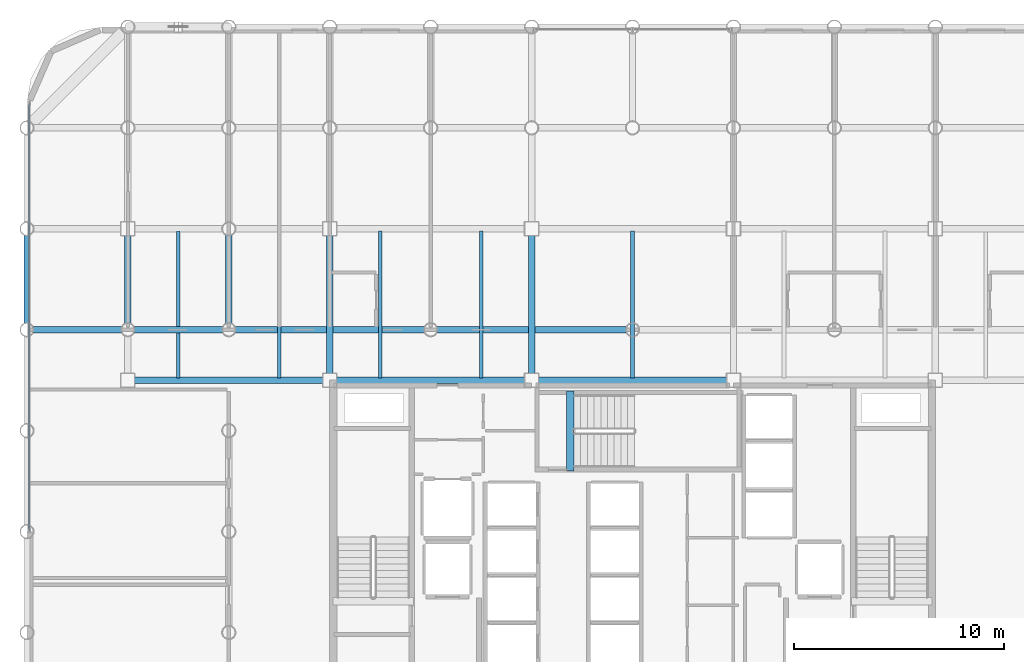
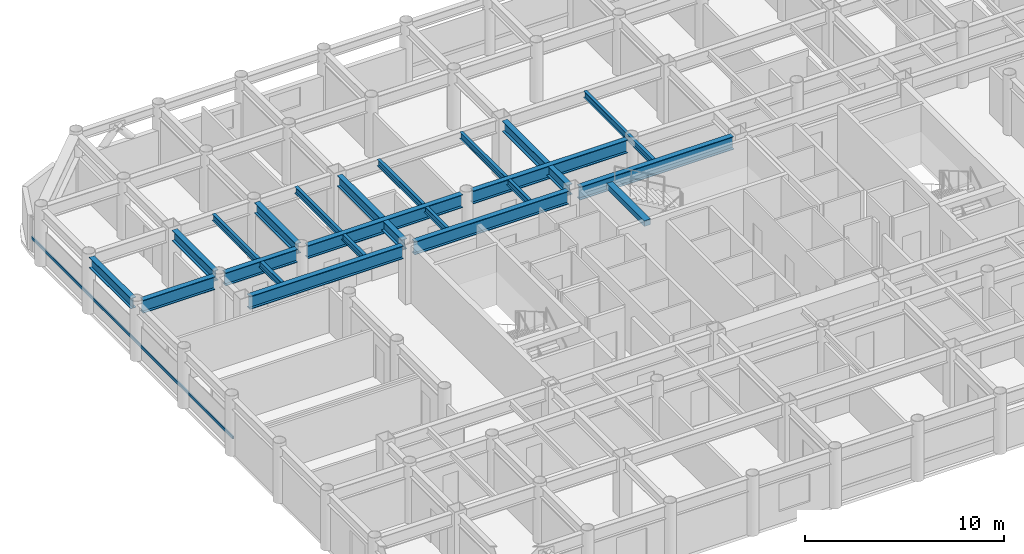
# One storey, part 5 of 22: 18 beams, 1 member, 1 element without a shape of its own.
"""IFC4 building model written with IfcOpenShell, lengths in metres."""

from ifc_helpers import new_model, si_unit, direction, frame, origin, origin_2d, place, context, subcontext, project, spatial, rectangle, hollow_rectangle, i_section, extrude, material, layer, layer_set, material_profile, profile_set, type_object, element, aggregate, save


model = new_model("IFC4")

# Units and contexts
model_context = context("Model", 3, precision=1e-05, world=origin(), true_north=direction((0.0, 1.0)))
body_context = subcontext(model_context, "Body", "Model", "MODEL_VIEW")
ifc_project = project(units=[si_unit("LENGTHUNIT", "METRE"), si_unit("AREAUNIT", "SQUARE_METRE"), si_unit("VOLUMEUNIT", "CUBIC_METRE"), si_unit("PLANEANGLEUNIT", "RADIAN"), si_unit("MASSUNIT", "GRAM", prefix="KILO")], contexts=[model_context])

# Site, building, storey
site_placement = place(None, origin())
site = spatial("IfcSite", under=ifc_project, at=site_placement, CompositionType="ELEMENT")
building_placement = place(site_placement, origin())
building = spatial("IfcBuilding", under=site, at=building_placement, Name="Kallvorn Hotel Tower", CompositionType="ELEMENT")
storey_placement = place(building_placement, frame((0.0, 0.0, 117.39990234375)))
storey = spatial("IfcBuildingStorey", under=building, at=storey_placement, Name="L28", CompositionType="ELEMENT", Elevation=117.39990234375)

# Beams
ifc_material_1 = material(Name="Structural steel S355JR", Category="steel")
ifc_material_profile_1 = material_profile(ifc_material_1, i_section(OverallWidth=0.300048828125, OverallDepth=0.64990234375, WebThickness=0.01611328125, FlangeThickness=0.031005859375, at=origin_2d()), Name="HE 650 B")
ifc_profile_set_1 = profile_set([ifc_material_profile_1], Name="Structural steel S355JR")
beam_type_1 = type_object("IfcBeamType", Name="BM_HE650B", PredefinedType="BEAM", material=ifc_profile_set_1)
beam_1_placement = place(storey_placement, frame((-28.800048828125, 9.905029296875, 3.195068359375), z_axis=(0.0, 1.0, 0.0), x_axis=(-1.0, 0.0, 0.0)))
element("IfcBeam", 1, at=beam_1_placement, inside=storey, type_object=beam_type_1, Name="L29 Primary Y-Girder 79", PredefinedType="BEAM", context=body_context, shape_type="SweptSolid", body=[
    extrude(i_section(OverallWidth=0.300048828125, OverallDepth=0.64990234375, WebThickness=0.01611328125, FlangeThickness=0.031005859375, at=origin_2d()), origin(), (0.0, 0.0, 1.0), 4.18994140625),
])
beam_2_placement = place(storey_placement, frame((-24.0, 9.905029296875, 3.195068359375), z_axis=(0.0, 1.0, 0.0), x_axis=(-1.0, 0.0, 0.0)))
element("IfcBeam", 2, at=beam_2_placement, inside=storey, type_object=beam_type_1, Name="L29 Primary Y-Girder 85", PredefinedType="BEAM", context=body_context, shape_type="SweptSolid", body=[
    extrude(i_section(OverallWidth=0.300048828125, OverallDepth=0.64990234375, WebThickness=0.01611328125, FlangeThickness=0.031005859375, at=origin_2d()), origin(), (0.0, 0.0, 1.0), 4.169921875),
])
beam_3_placement = place(storey_placement, frame((-19.199951171875, 9.905029296875, 3.195068359375), z_axis=(0.0, 1.0, 0.0), x_axis=(-1.0, 0.0, 0.0)))
element("IfcBeam", 3, at=beam_3_placement, inside=storey, type_object=beam_type_1, Name="L29 Primary Y-Girder 94", PredefinedType="BEAM", context=body_context, shape_type="SweptSolid", body=[
    extrude(i_section(OverallWidth=0.300048828125, OverallDepth=0.64990234375, WebThickness=0.01611328125, FlangeThickness=0.031005859375, at=origin_2d()), origin(), (0.0, 0.0, 1.0), 4.18994140625),
])
for number, where, z_axis, x_axis, name in (
    (4, (-14.39990234375, 7.52490234375, 3.195068359375), (0.0, 1.0, 0.0), (-1.0, 0.0, 0.0), "L29 Primary Y-Girder 99"),
    (5, (-4.800048828125, 7.52490234375, 3.195068359375), (0.0, 1.0, 0.0), (-1.0, 0.0, 0.0), "L29 Primary Y-Girder 107"),
):
    element("IfcBeam", number, at=place(storey_placement, frame(where, z_axis=z_axis, x_axis=x_axis)), inside=storey, type_object=beam_type_1, Name=name, PredefinedType="BEAM", context=body_context, shape_type="SweptSolid", body=[
        extrude(i_section(OverallWidth=0.300048828125, OverallDepth=0.64990234375, WebThickness=0.01611328125, FlangeThickness=0.031005859375, at=origin_2d()), origin(), (0.0, 0.0, 1.0), 6.550048828125),
    ])
ifc_material_2 = material(Name="Structural steel S355JR", Category="steel")
ifc_material_profile_2 = material_profile(ifc_material_2, i_section(OverallWidth=0.300048828125, OverallDepth=0.800048828125, WebThickness=0.017578125, FlangeThickness=0.032958984375, at=origin_2d()), Name="HE 800 B")
ifc_profile_set_2 = profile_set([ifc_material_profile_2], Name="Structural steel S355JR")
beam_type_2 = type_object("IfcBeamType", Name="BM_HE800B", PredefinedType="BEAM", material=ifc_profile_set_2)
for number, where, z_axis, x_axis, name in (
    (6, (-23.675048828125, 7.199951171875, 3.1201171875), (1.0, 0.0, 0.0), (0.0, 1.0, 0.0), "L29 Primary X-Girder 36"),
    (7, (-14.074951171875, 7.199951171875, 3.1201171875), (1.0, 0.0, 0.0), (0.0, 1.0, 0.0), "L29 Primary X-Girder 37"),
):
    element("IfcBeam", number, at=place(storey_placement, frame(where, z_axis=z_axis, x_axis=x_axis)), inside=storey, type_object=beam_type_2, Name=name, PredefinedType="BEAM", context=body_context, shape_type="SweptSolid", body=[
        extrude(i_section(OverallWidth=0.300048828125, OverallDepth=0.800048828125, WebThickness=0.017578125, FlangeThickness=0.032958984375, at=origin_2d()), origin(), (0.0, 0.0, 1.0), 8.949951171875),
    ])
beam_4_placement = place(storey_placement, frame((-4.47509765625, 7.199951171875, 3.1201171875), z_axis=(1.0, 0.0, 0.0), x_axis=(0.0, 1.0, 0.0)))
element("IfcBeam", 8, at=beam_4_placement, inside=storey, type_object=beam_type_2, Name="L29 Primary X-Girder 38", PredefinedType="BEAM", context=body_context, shape_type="SweptSolid", body=[
    extrude(i_section(OverallWidth=0.300048828125, OverallDepth=0.800048828125, WebThickness=0.017578125, FlangeThickness=0.032958984375, at=origin_2d()), origin(), (0.0, 0.0, 1.0), 8.9501953125),
])
for number, where, z_axis, x_axis, name in (
    (9, (-28.4951171875, 9.60009765625, 3.1201171875), (1.0, 0.0, 0.0), (0.0, 1.0, 0.0), "L29 Primary X-Girder 41"),
    (10, (-23.695068359375, 9.60009765625, 3.1201171875), (1.0, 0.0, 0.0), (0.0, 1.0, 0.0), "L29 Primary X-Girder 42"),
):
    element("IfcBeam", number, at=place(storey_placement, frame(where, z_axis=z_axis, x_axis=x_axis)), inside=storey, type_object=beam_type_2, Name=name, PredefinedType="BEAM", context=body_context, shape_type="SweptSolid", body=[
        extrude(i_section(OverallWidth=0.300048828125, OverallDepth=0.800048828125, WebThickness=0.017578125, FlangeThickness=0.032958984375, at=origin_2d()), origin(), (0.0, 0.0, 1.0), 4.190185546875),
    ])
for number, where, z_axis, x_axis, name in (
    (11, (-18.89501953125, 9.60009765625, 3.1201171875), (1.0, 0.0, 0.0), (0.0, 1.0, 0.0), "L29 Primary X-Girder 43"),
    (12, (-9.294921875, 9.60009765625, 3.1201171875), (1.0, 0.0, 0.0), (0.0, 1.0, 0.0), "L29 Primary X-Girder 44"),
):
    element("IfcBeam", number, at=place(storey_placement, frame(where, z_axis=z_axis, x_axis=x_axis)), inside=storey, type_object=beam_type_2, Name=name, PredefinedType="BEAM", context=body_context, shape_type="SweptSolid", body=[
        extrude(i_section(OverallWidth=0.300048828125, OverallDepth=0.800048828125, WebThickness=0.017578125, FlangeThickness=0.032958984375, at=origin_2d()), origin(), (0.0, 0.0, 1.0), 8.989990234375),
    ])
ifc_material_3 = material(Name="Structural steel S355JR", Category="steel")
ifc_material_profile_3 = material_profile(ifc_material_3, i_section(OverallWidth=0.179931640625, OverallDepth=0.39990234375, WebThickness=0.008544921875, FlangeThickness=0.013427734375, at=origin_2d()), Name="IPE 400")
ifc_profile_set_3 = profile_set([ifc_material_profile_3], Name="Structural steel S355JR")
beam_type_3 = type_object("IfcBeamType", Name="BM_IPE400", PredefinedType="JOIST", material=ifc_profile_set_3)
for number, where, z_axis, x_axis, name in (
    (13, (-21.60009765625, 7.300048828125, 3.320068359375), (0.0, 1.0, 0.0), (-1.0, 0.0, 0.0), "L29 Secondary Composite Joist 193"),
    (14, (-16.800048828125, 7.300048828125, 3.320068359375), (0.0, 1.0, 0.0), (-1.0, 0.0, 0.0), "L29 Secondary Composite Joist 195"),
    (15, (-12.0, 7.300048828125, 3.320068359375), (0.0, 1.0, 0.0), (-1.0, 0.0, 0.0), "L29 Secondary Composite Joist 197"),
    (16, (-7.199951171875, 7.300048828125, 3.320068359375), (0.0, 1.0, 0.0), (-1.0, 0.0, 0.0), "L29 Secondary Composite Joist 199"),
    (17, (0.0, 7.300048828125, 3.320068359375), (0.0, 1.0, 0.0), (-1.0, 0.0, 0.0), "L29 Secondary Composite Joist 201"),
):
    element("IfcBeam", number, at=place(storey_placement, frame(where, z_axis=z_axis, x_axis=x_axis)), inside=storey, type_object=beam_type_3, Name=name, PredefinedType="JOIST", context=body_context, shape_type="SweptSolid", body=[
        extrude(i_section(OverallWidth=0.179931640625, OverallDepth=0.39990234375, WebThickness=0.008544921875, FlangeThickness=0.013427734375, at=origin_2d()), origin(), (0.0, 0.0, 1.0), 7.0),
    ])
ifc_material_4 = material(Name="Concrete C50/60", Category="concrete")
ifc_material_profile_4 = material_profile(ifc_material_4, rectangle(XDim=0.360107421875, YDim=0.340087890625, at=origin_2d()), Name="RC 360x340")
ifc_profile_set_4 = profile_set([ifc_material_profile_4], Name="Concrete C50/60")
beam_type_4 = type_object("IfcBeamType", Name="BM_RC_400x360", PredefinedType="BEAM", material=ifc_profile_set_4)
beam_5_placement = place(storey_placement, frame((-2.9599609375, 2.8701171875, 3.35009765625), z_axis=(0.0, 1.0, 0.0), x_axis=(-1.0, 0.0, 0.0)))
element("IfcBeam", 18, at=beam_5_placement, inside=storey, type_object=beam_type_4, Name="L29 Stair ST3 Arrival Trimmer Beam", PredefinedType="BEAM", context=body_context, shape_type="SweptSolid", body=[
    extrude(rectangle(XDim=0.360107421875, YDim=0.340087890625, at=origin_2d()), origin(), (0.0, 0.0, 1.0), 3.81982421875),
])

# Curtain wall, member
ifc_material_5 = material(Name="Thermally broken black-anodised aluminium AA 6063-T6", Category="aluminium")
ifc_layer = layer(ifc_material_5, 0.199951171875)
ifc_layer_set = layer_set([ifc_layer], Name="CW_SYS_3_HOTEL_LOW")
curtain_wall_type = type_object("IfcCurtainWallType", Name="CW_SYS_3_HOTEL_LOW", PredefinedType="USERDEFINED", material=ifc_layer_set)
curtain_wall_placement = place(storey_placement, origin())
curtain_wall = element("IfcCurtainWall", 19, at=curtain_wall_placement, inside=storey, type_object=curtain_wall_type, Name="L28 Dark-Glass Curtain Wall CW-L28-WN", ObjectType="UNITISED CURTAIN WALL", PredefinedType="USERDEFINED")
ifc_material_6 = material(Name="Thermally broken black-anodised aluminium AA 6063-T6", Category="aluminium")
ifc_material_profile_5 = material_profile(ifc_material_6, hollow_rectangle(XDim=0.070068359375, YDim=0.179931640625, WallThickness=0.00390625, at=origin_2d()), Name="TRN 180x70")
ifc_profile_set_5 = profile_set([ifc_material_profile_5], Name="Thermally broken black-anodised aluminium AA 6063-T6")
member_type = type_object("IfcMemberType", Name="CW_TRANSOM_180x70", PredefinedType="USERDEFINED", material=ifc_profile_set_5)
member_placement = place(storey_placement, frame((-28.679931640625, 0.06005859375, 0.85009765625), z_axis=(0.0, 1.0, 0.0), x_axis=(-1.0, 0.0, 0.0)))
member = element("IfcMember", 20, at=member_placement, type_object=member_type, Name="CW-L28-WN Transom 00M", ObjectType="TRANSOM", PredefinedType="USERDEFINED", context=body_context, shape_type="SweptSolid", body=[
    extrude(hollow_rectangle(XDim=0.070068359375, YDim=0.179931640625, WallThickness=0.00390625, at=origin_2d()), origin(), (0.0, 0.0, 1.0), 20.300048828125),
])
aggregate(curtain_wall, [member])

save(model, "model.ifc")
